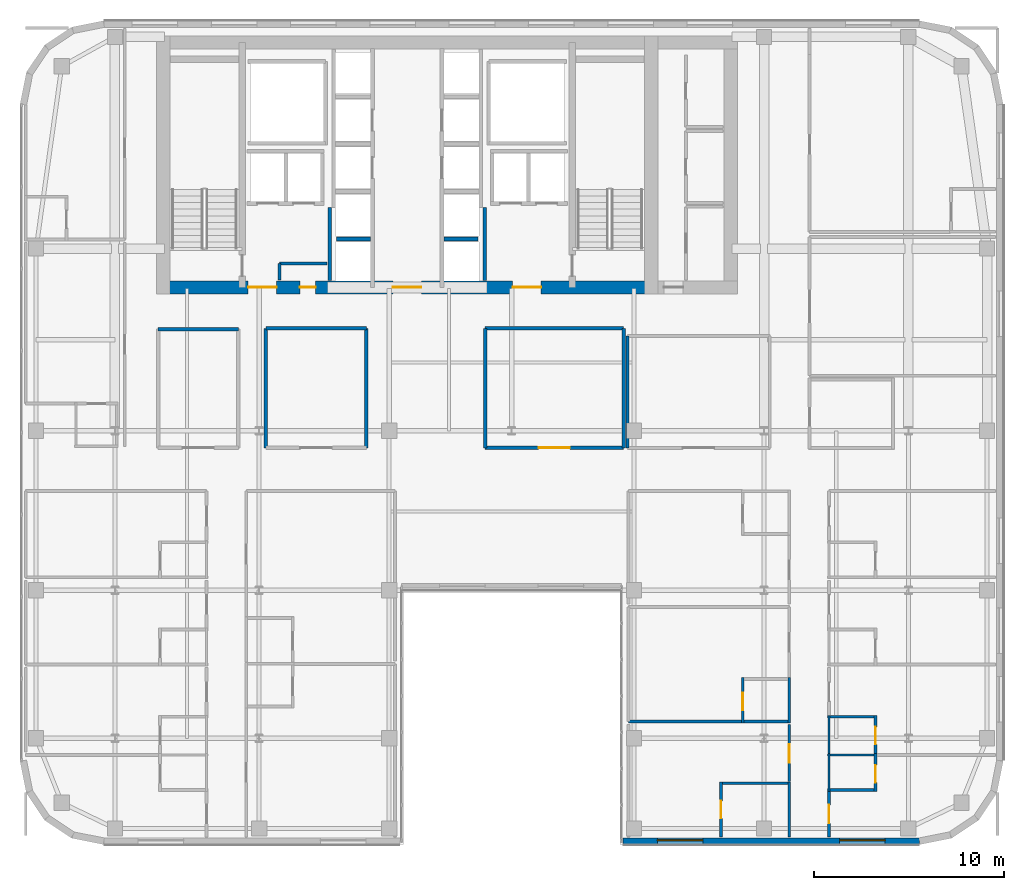
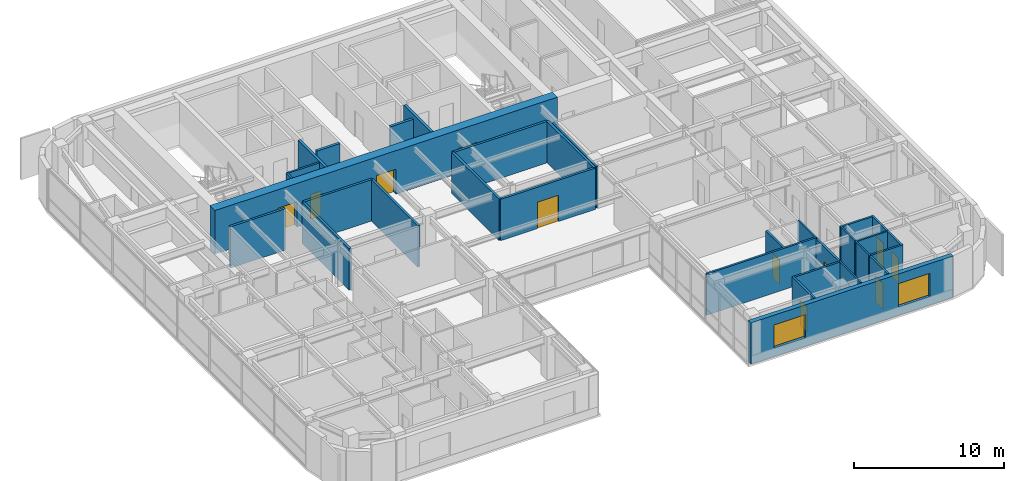
# One storey, part 19 of 28: 32 walls, 11 doors, 2 windows, 13 openings.
"""IFC4 building model written with IfcOpenShell, lengths in metres."""

import ifcopenshell
import ifcopenshell.guid

model = None  # the IFC model being written
_history = None  # IfcOwnerHistory: only IFC2X3 demands one
_inside = {}  # id of a spatial element -> (the spatial element, [elements in it])
_under = {}  # id of a project, library or spatial element -> (it, [spatial elements below it])
_declared = {}  # id of a project -> (the project, [libraries it declares])
_typed = {}  # id of a type object -> (the type object, [elements of that type])
_made_of = {}  # id of a material, layer set ... -> (it, [elements and type objects made of it])


def new_model(schema):
    """Start an empty IFC model of exactly this schema.

    Asked for "IFC4X3", IfcOpenShell would pick the latest addendum, in which some entities
    have other attributes; the version numbers below select the first issue.
    IFC2X3 requires an IfcOwnerHistory on every rooted entity: one is made here for all.
    """
    global model, _history
    if schema == "IFC4X3":
        model = ifcopenshell.file(schema_version=(4, 3, 0, 0))
    else:
        model = ifcopenshell.file(schema=schema)
    _inside.clear()
    _under.clear()
    _declared.clear()
    _typed.clear()
    _made_of.clear()
    _history = None
    if model.schema == "IFC2X3":
        org = make("IfcOrganization", Name="unknown")
        user = make(
            "IfcPersonAndOrganization",
            ThePerson=make("IfcPerson", FamilyName="unknown"),
            TheOrganization=org,
        )
        app = make(
            "IfcApplication",
            ApplicationDeveloper=org,
            Version="unknown",
            ApplicationFullName="unknown",
            ApplicationIdentifier="unknown",
        )
        _history = make(
            "IfcOwnerHistory",
            OwningUser=user,
            OwningApplication=app,
            ChangeAction="ADDED",
            CreationDate=0,
        )
    return model


def make(cls, **values):
    """One entity of the class cls with the attributes given. An attribute that is None is left unset."""
    return model.create_entity(
        cls, **{name: value for name, value in values.items() if value is not None}
    )


def rooted(cls, **values):
    """An entity with a GlobalId (a new one), such as an element, a storey or a relation."""
    return make(cls, GlobalId=ifcopenshell.guid.new(), OwnerHistory=_history, **values)


def si_unit(unit_type, name, prefix=None):
    """IfcSIUnit, for example si_unit("LENGTHUNIT", "METRE", prefix="MILLI")."""
    return make("IfcSIUnit", UnitType=unit_type, Prefix=prefix, Name=name)


def assignment(units):
    """IfcUnitAssignment: the units of a project."""
    return None if units is None else make("IfcUnitAssignment", Units=units)


def point(xyz):
    """IfcCartesianPoint."""
    return None if xyz is None else make("IfcCartesianPoint", Coordinates=xyz)


def direction(xyz):
    """IfcDirection."""
    return None if xyz is None else make("IfcDirection", DirectionRatios=xyz)


def frame(location, z_axis=None, x_axis=None):
    """IfcAxis2Placement3D, a coordinate frame: its origin and axes. An axis left out is left unset."""
    return make(
        "IfcAxis2Placement3D",
        Location=point(location),
        Axis=direction(z_axis),
        RefDirection=direction(x_axis),
    )


def frame_2d(location, x_axis=None):
    """IfcAxis2Placement2D, a coordinate frame in the plane: its origin and x axis."""
    return make(
        "IfcAxis2Placement2D", Location=point(location), RefDirection=direction(x_axis)
    )


def origin():
    """The frame at (0, 0, 0) with its axes left unset."""
    return frame((0.0, 0.0, 0.0))


def place(relative_to, where):
    """IfcLocalPlacement: puts the frame where relative to a parent placement (None: the world)."""
    return make(
        "IfcLocalPlacement", PlacementRelTo=relative_to, RelativePlacement=where
    )


def context(
    kind, dimensions, precision=None, world=None, true_north=None, identifier=None
):
    """IfcGeometricRepresentationContext, for example the 3D "Model" context."""
    return make(
        "IfcGeometricRepresentationContext",
        ContextIdentifier=identifier,
        ContextType=kind,
        CoordinateSpaceDimension=dimensions,
        Precision=precision,
        WorldCoordinateSystem=world,
        TrueNorth=true_north,
    )


def subcontext(parent, identifier, kind, view, scale=None):
    """IfcGeometricRepresentationSubContext, for example "Body" below "Model"."""
    return make(
        "IfcGeometricRepresentationSubContext",
        ContextIdentifier=identifier,
        ContextType=kind,
        ParentContext=parent,
        TargetScale=scale,
        TargetView=view,
    )


def project(units=None, contexts=None):
    """IfcProject with its units and contexts."""
    return rooted(
        "IfcProject",
        Name="project",
        RepresentationContexts=contexts,
        UnitsInContext=assignment(units),
    )


def spatial(cls, under=None, at=None, **own):
    """A site, building, storey or space (cls), placed at a placement, below another one or the project."""
    s = rooted(cls, ObjectPlacement=at, **own)
    if under is not None:
        _under.setdefault(under.id(), (under, []))[1].append(s)
    return s


def profile(cls, at=None, kind="AREA", **sizes):
    """A parametric profile (cls). Its sizes go by their IFC names, for example OverallWidth=200.0."""
    return make(cls, ProfileType=kind, Position=at, **sizes)


def rectangle(**sizes):
    """IfcRectangleProfileDef."""
    return profile("IfcRectangleProfileDef", **sizes)


def extrude(swept, where, along, depth):
    """IfcExtrudedAreaSolid: the profile swept, set in the frame where, extruded along a direction by depth."""
    return make(
        "IfcExtrudedAreaSolid",
        SweptArea=swept,
        Position=where,
        ExtrudedDirection=direction(along),
        Depth=depth,
    )


def shape(context_of_items, identifier, shape_type, items):
    """IfcShapeRepresentation: the items that make up one representation, for example the "Body"."""
    return make(
        "IfcShapeRepresentation",
        ContextOfItems=context_of_items,
        RepresentationIdentifier=identifier,
        RepresentationType=shape_type,
        Items=items,
    )


def source(mapping_origin, context_of_items, identifier, shape_type, items):
    """IfcRepresentationMap: a shape defined once, which mapped items show again and again."""
    return make(
        "IfcRepresentationMap",
        MappingOrigin=mapping_origin,
        MappedRepresentation=shape(context_of_items, identifier, shape_type, items),
    )


def transform(
    local_origin,
    x_axis=None,
    y_axis=None,
    z_axis=None,
    scale=None,
    scale2=None,
    scale3=None,
    uniform=True,
):
    """IfcCartesianTransformationOperator3D, or its non-uniform kind. x_axis, y_axis, z_axis: its Axis1, 2, 3."""
    if uniform:
        return make(
            "IfcCartesianTransformationOperator3D",
            Axis1=direction(x_axis),
            Axis2=direction(y_axis),
            LocalOrigin=point(local_origin),
            Scale=scale,
            Axis3=direction(z_axis),
        )
    return make(
        "IfcCartesianTransformationOperator3DnonUniform",
        Axis1=direction(x_axis),
        Axis2=direction(y_axis),
        LocalOrigin=point(local_origin),
        Scale=scale,
        Axis3=direction(z_axis),
        Scale2=scale2,
        Scale3=scale3,
    )


def mapped(mapping_source, mapping_target):
    """IfcMappedItem: shows the shape of a source again, moved by a transform."""
    return make(
        "IfcMappedItem", MappingSource=mapping_source, MappingTarget=mapping_target
    )


def material(Name=None, Category=None):
    """IfcMaterial."""
    return make("IfcMaterial", Name=Name, Category=Category)


def layer(
    of_material, thickness, ventilated=None, Name=None, Category=None, Priority=None
):
    """IfcMaterialLayer: one layer of a wall or slab, of a material (None: an air gap)."""
    return make(
        "IfcMaterialLayer",
        Material=of_material,
        LayerThickness=thickness,
        IsVentilated=ventilated,
        Name=Name,
        Category=Category,
        Priority=Priority,
    )


def layer_set(layers, Name=None):
    """IfcMaterialLayerSet."""
    return make("IfcMaterialLayerSet", MaterialLayers=layers, LayerSetName=Name)


def made_of(thing, what):
    """Note that an element or type object is made of a material, layer set ...; save() writes the relation."""
    if what is not None:
        _made_of.setdefault(what.id(), (what, []))[1].append(thing)
    return thing


def type_object(cls, material=None, **own):
    """A type object (cls), such as IfcWallType, which elements share."""
    return made_of(rooted(cls, **own), material)


def type_shapes(of_type, sources):
    """Give a type object the sources (RepresentationMaps) that its elements show as mapped items."""
    of_type.RepresentationMaps = sources


def element(
    cls,
    number,
    at=None,
    inside=None,
    cuts=None,
    type_object=None,
    material=None,
    context=None,
    identifier="Body",
    shape_type=None,
    held_by="IfcProductDefinitionShape",
    body=None,
    shapes=None,
    **own,
):
    """One element of the class cls, such as IfcWall. Its Tag is "e" and its number.

    at: its placement. inside: the storey or other place that contains it. cuts: it is an
    opening in that element (IfcRelVoidsElement). A single representation is given by context,
    identifier, shape_type and body (its items); several are given by shapes. held_by: the class
    of the entity that holds the representations. save() writes the other relations.
    """
    e = rooted(cls, Tag="e%d" % number, ObjectPlacement=at, **own)
    if body is not None:
        shapes = [shape(context, identifier, shape_type, body)]
    if shapes is not None:
        e.Representation = make(held_by, Representations=shapes)
    if inside is not None:
        _inside.setdefault(inside.id(), (inside, []))[1].append(e)
    if cuts is not None:
        rooted(
            "IfcRelVoidsElement", RelatingBuildingElement=cuts, RelatedOpeningElement=e
        )
    if type_object is not None:
        _typed.setdefault(type_object.id(), (type_object, []))[1].append(e)
    return made_of(e, material)


def fill(opening, filler):
    """IfcRelFillsElement: the door or window that sits in an opening."""
    return rooted(
        "IfcRelFillsElement",
        RelatingOpeningElement=opening,
        RelatedBuildingElement=filler,
    )


def aggregate(whole, parts):
    """IfcRelAggregates: a whole, such as a stair, and the parts it consists of."""
    return rooted("IfcRelAggregates", RelatingObject=whole, RelatedObjects=parts)


def save(model, path):
    """Write the relations noted so far, then the file.

    IfcRelAggregates (storeys below a building ...), IfcRelContainedInSpatialStructure (elements
    in a storey), IfcRelDefinesByType, IfcRelAssociatesMaterial and IfcRelDeclares: one each for
    every whole, place, type object, material and project.
    """
    for whole, parts in _under.values():
        aggregate(whole, parts)
    for where, things in _inside.values():
        rooted(
            "IfcRelContainedInSpatialStructure",
            RelatedElements=things,
            RelatingStructure=where,
        )
    for kind, things in _typed.values():
        rooted("IfcRelDefinesByType", RelatedObjects=things, RelatingType=kind)
    for what, things in _made_of.values():
        rooted("IfcRelAssociatesMaterial", RelatedObjects=things, RelatingMaterial=what)
    for by, libraries in _declared.values():
        rooted("IfcRelDeclares", RelatingContext=by, RelatedDefinitions=libraries)
    model.write(path)


model = new_model("IFC4")

# Units and contexts
model_context = context("Model", 3, precision=1e-05, world=origin(), true_north=direction((0.0, 1.0)))
body_context = subcontext(model_context, "Body", "Model", "MODEL_VIEW")
ifc_project = project(units=[si_unit("LENGTHUNIT", "METRE"), si_unit("AREAUNIT", "SQUARE_METRE"), si_unit("VOLUMEUNIT", "CUBIC_METRE"), si_unit("PLANEANGLEUNIT", "RADIAN"), si_unit("MASSUNIT", "GRAM", prefix="KILO")], contexts=[model_context])

# Site, building, storey
site_placement = place(None, origin())
site = spatial("IfcSite", under=ifc_project, at=site_placement, CompositionType="ELEMENT")
building_placement = place(site_placement, origin())
building = spatial("IfcBuilding", under=site, at=building_placement, Name="Tolvann Quenvar Hotel", CompositionType="ELEMENT")
storey_placement = place(building_placement, frame((0.0, 0.0, 154.14990234375)))
storey = spatial("IfcBuildingStorey", under=building, at=storey_placement, Name="L40", CompositionType="ELEMENT", Elevation=154.14990234375)

# Wall, openings, doors
ifc_material_1 = material(Name="Concrete S65 (65 MPa)", Category="concrete")
ifc_layer_1 = layer(ifc_material_1, 0.699951171875)
ifc_layer_set_1 = layer_set([ifc_layer_1], Name="Concrete S65 (65 MPa)")
wall_type_1 = type_object("IfcWallType", Name="WALL_CORE_700", PredefinedType="SHEAR", material=ifc_layer_set_1)
wall_1_placement = place(storey_placement, frame((9.800048828125, 31.949951171875, 0.0), z_axis=(0.0, 0.0, 1.0), x_axis=(1.0, 0.0, 0.0)))
wall_1 = element("IfcWall", 1, at=wall_1_placement, inside=storey, type_object=wall_type_1, Name="Rear Core S Shear Wall (L40)", PredefinedType="SHEAR", context=body_context, shape_type="SweptSolid", body=[
    extrude(rectangle(XDim=26.39990234375, YDim=0.699951171875, at=frame_2d((13.199951171875, 0.0))), origin(), (0.0, 0.0, 1.0), 3.550048828125),
])
opening_1_placement = place(wall_1_placement, frame((6.320068359375, 0.0, 0.0), z_axis=(0.0, 0.0, 1.0), x_axis=(-1.0, 0.0, 0.0)))
opening_1 = element("IfcOpeningElement", 2, at=opening_1_placement, cuts=wall_1, Name="Opening FD-60D", PredefinedType="OPENING", context=body_context, shape_type="SweptSolid", body=[
    extrude(rectangle(XDim=1.5, YDim=2.0400390625, at=frame_2d((0.75, 1.02001953125))), frame((0.0, 0.35986328125, 0.0), z_axis=(0.0, -1.0, 0.0), x_axis=(1.0, 0.0, 0.0)), (0.0, 0.0, 1.0), 0.719970703125),
])
opening_2_placement = place(wall_1_placement, frame((13.949951171875, 0.0, 0.0), z_axis=(0.0, 0.0, 1.0), x_axis=(-1.0, 0.0, 0.0)))
opening_2 = element("IfcOpeningElement", 3, at=opening_2_placement, cuts=wall_1, Name="Opening FD-60D", PredefinedType="OPENING", context=body_context, shape_type="SweptSolid", body=[
    extrude(rectangle(XDim=1.5, YDim=2.0400390625, at=frame_2d((0.75, 1.02001953125))), frame((0.0, 0.35986328125, 0.0), z_axis=(0.0, -1.0, 0.0), x_axis=(1.0, 0.0, 0.0)), (0.0, 0.0, 1.0), 0.719970703125),
])
opening_3_placement = place(wall_1_placement, frame((20.25, 0.0, 0.0), z_axis=(0.0, 0.0, 1.0), x_axis=(-1.0, 0.0, 0.0)))
opening_3 = element("IfcOpeningElement", 4, at=opening_3_placement, cuts=wall_1, Name="Opening FD-60D", PredefinedType="OPENING", context=body_context, shape_type="SweptSolid", body=[
    extrude(rectangle(XDim=1.5, YDim=2.0400390625, at=frame_2d((0.75, 1.02001953125))), frame((0.0, 0.35986328125, 0.0), z_axis=(0.0, -1.0, 0.0), x_axis=(1.0, 0.0, 0.0)), (0.0, 0.0, 1.0), 0.719970703125),
])
opening_4_placement = place(wall_1_placement, frame((8.3701171875, 0.0, 0.0), z_axis=(0.0, 0.0, 1.0), x_axis=(-1.0, 0.0, 0.0)))
opening_4 = element("IfcOpeningElement", 5, at=opening_4_placement, cuts=wall_1, Name="Opening HD-02", PredefinedType="OPENING", context=body_context, shape_type="SweptSolid", body=[
    extrude(rectangle(XDim=0.820068359375, YDim=2.010009765625, at=frame_2d((0.41015625, 1.0048828125))), frame((0.0, 0.35986328125, 0.0), z_axis=(0.0, -1.0, 0.0), x_axis=(1.0, 0.0, 0.0)), (0.0, 0.0, 1.0), 0.719970703125),
])
ifc_material_2 = material(Name="Solid-core American oak acoustic fire door leaf in steel frame", Category="steel")
door_type_1 = type_object("IfcDoorType", Name="DOOR_FIRE_LOBBY_1500", OperationType="NOTDEFINED", PredefinedType="DOOR", material=ifc_material_2)
shared_shape_1 = source(origin(), body_context, "Body", "SweptSolid", [
    extrude(rectangle(XDim=1.5, YDim=2.0400390625, at=frame_2d((0.75, 1.02001953125))), frame((0.0, 0.02490234375, 0.0), z_axis=(0.0, -1.0, 0.0), x_axis=(1.0, 0.0, 0.0)), (0.0, 0.0, 1.0), 0.050048828125),
])
type_shapes(door_type_1, [shared_shape_1])
door_1_placement = place(opening_1_placement, origin())
door_1 = element("IfcDoor", 6, at=door_1_placement, inside=storey, type_object=door_type_1, Name="Core Lobby Fire Door FFW (L40)", OperationType="DOUBLE_DOOR_SINGLE_SWING", OverallHeight=2.0400390625, OverallWidth=1.5, PredefinedType="DOOR", context=body_context, shape_type="MappedRepresentation", body=[
    mapped(shared_shape_1, transform((0.0, 0.0, 0.0), x_axis=(1.0, 0.0, 0.0), y_axis=(0.0, 1.0, 0.0), z_axis=(0.0, 0.0, 1.0), scale=1.0)),
])
fill(opening_1, door_1)
door_2_placement = place(opening_2_placement, origin())
door_2 = element("IfcDoor", 7, at=door_2_placement, inside=storey, type_object=door_type_1, Name="Core Lobby Fire Door CLOB (L40)", OperationType="DOUBLE_DOOR_SINGLE_SWING", OverallHeight=2.0400390625, OverallWidth=1.5, PredefinedType="DOOR", context=body_context, shape_type="MappedRepresentation", body=[
    mapped(shared_shape_1, transform((0.0, 0.0, 0.0), x_axis=(1.0, 0.0, 0.0), y_axis=(0.0, 1.0, 0.0), z_axis=(0.0, 0.0, 1.0), scale=1.0)),
])
fill(opening_2, door_2)
door_3_placement = place(opening_3_placement, origin())
door_3 = element("IfcDoor", 8, at=door_3_placement, inside=storey, type_object=door_type_1, Name="Core Lobby Fire Door FFE (L40)", OperationType="DOUBLE_DOOR_SINGLE_SWING", OverallHeight=2.0400390625, OverallWidth=1.5, PredefinedType="DOOR", context=body_context, shape_type="MappedRepresentation", body=[
    mapped(shared_shape_1, transform((0.0, 0.0, 0.0), x_axis=(1.0, 0.0, 0.0), y_axis=(0.0, 1.0, 0.0), z_axis=(0.0, 0.0, 1.0), scale=1.0)),
])
fill(opening_3, door_3)
ifc_material_3 = material(Name="Pressed galvanised steel fire-rated door set", Category="steel")
door_type_2 = type_object("IfcDoorType", Name="DOOR_STORE_820", OperationType="NOTDEFINED", PredefinedType="DOOR", material=ifc_material_3)
shared_shape_2 = source(origin(), body_context, "Body", "SweptSolid", [
    extrude(rectangle(XDim=0.820068359375, YDim=2.010009765625, at=frame_2d((0.41015625, 1.0048828125))), frame((0.0, 0.02490234375, 0.0), z_axis=(0.0, -1.0, 0.0), x_axis=(1.0, 0.0, 0.0)), (0.0, 0.0, 1.0), 0.050048828125),
])
type_shapes(door_type_2, [shared_shape_2])
door_4_placement = place(opening_4_placement, origin())
door_4 = element("IfcDoor", 9, at=door_4_placement, inside=storey, type_object=door_type_2, Name="Core Linen Store Fire Door (L40)", OperationType="SINGLE_SWING_LEFT", OverallHeight=2.010009765625, OverallWidth=0.820068359375, PredefinedType="DOOR", context=body_context, shape_type="MappedRepresentation", body=[
    mapped(shared_shape_2, transform((0.0, 0.0, 0.0), x_axis=(1.0, 0.0, 0.0), y_axis=(0.0, 1.0, 0.0), z_axis=(0.0, 0.0, 1.0), scale=1.0)),
])
fill(opening_4, door_4)

# Wall, openings, windows
ifc_material_4 = material(Name="Kiln-fired red and buff architectural clay brickwork and terracotta masonry", Category="masonry")
ifc_layer_2 = layer(ifc_material_4, 0.35009765625)
ifc_layer_set_2 = layer_set([ifc_layer_2], Name="Kiln-fired red and buff architectural clay brickwork and terracotta masonry")
wall_type_2 = type_object("IfcWallType", Name="WALL_EXT_BRICK_350", PredefinedType="SOLIDWALL", material=ifc_layer_set_2)
wall_2_placement = place(storey_placement, frame((34.375, 2.77490234375, 0.0), z_axis=(0.0, 0.0, 1.0), x_axis=(1.0, 0.0, 0.0)))
wall_2 = element("IfcWall", 10, at=wall_2_placement, inside=storey, type_object=wall_type_2, Name="Exterior Chicago Brick Wall L40-E08", PredefinedType="SOLIDWALL", context=body_context, shape_type="SweptSolid", body=[
    extrude(rectangle(XDim=15.60791015625, YDim=0.35009765625, at=frame_2d((7.803955078125, 0.0))), origin(), (0.0, 0.0, 1.0), 3.3701171875),
])
opening_5_placement = place(wall_2_placement, frame((1.801025390625, 0.0, 0.679931640625)))
opening_5 = element("IfcOpeningElement", 11, at=opening_5_placement, cuts=wall_2, Name="Opening W-01", PredefinedType="OPENING", context=body_context, shape_type="SweptSolid", body=[
    extrude(rectangle(XDim=2.39990234375, YDim=1.89990234375, at=frame_2d((1.199951171875, 0.949951171875))), frame((0.0, 0.18505859375, 0.0), z_axis=(0.0, -1.0, 0.0), x_axis=(1.0, 0.0, 0.0)), (0.0, 0.0, 1.0), 0.3701171875),
])
opening_6_placement = place(wall_2_placement, frame((11.406005859375, 0.0, 0.679931640625)))
opening_6 = element("IfcOpeningElement", 12, at=opening_6_placement, cuts=wall_2, Name="Opening W-01", PredefinedType="OPENING", context=body_context, shape_type="SweptSolid", body=[
    extrude(rectangle(XDim=2.39990234375, YDim=1.89990234375, at=frame_2d((1.199951171875, 0.949951171875))), frame((0.0, 0.18505859375, 0.0), z_axis=(0.0, -1.0, 0.0), x_axis=(1.0, 0.0, 0.0)), (0.0, 0.0, 1.0), 0.3701171875),
])
ifc_material_5 = material(Name="Thermally broken bronze-anodised aluminium frame with double low-E glazing", Category="aluminium")
window_type = type_object("IfcWindowType", Name="WIN_CHI_2400x2050", PartitioningType="TRIPLE_PANEL_HORIZONTAL", PredefinedType="WINDOW", material=ifc_material_5)
shared_shape_3 = source(origin(), body_context, "Body", "SweptSolid", [
    extrude(rectangle(XDim=2.39990234375, YDim=1.89990234375, at=frame_2d((1.199951171875, 0.949951171875))), frame((0.0, 0.090087890625, 0.0), z_axis=(0.0, -1.0, 0.0), x_axis=(1.0, 0.0, 0.0)), (0.0, 0.0, 1.0), 0.06005859375),
])
type_shapes(window_type, [shared_shape_3])
window_1_placement = place(opening_5_placement, origin())
window_1 = element("IfcWindow", 13, at=window_1_placement, inside=storey, type_object=window_type, Name="Chicago Window W-01 (EW-L40-E08-W01)", OverallHeight=1.89990234375, OverallWidth=2.39990234375, PartitioningType="TRIPLE_PANEL_HORIZONTAL", PredefinedType="WINDOW", context=body_context, shape_type="MappedRepresentation", body=[
    mapped(shared_shape_3, transform((0.0, 0.0, 0.0), x_axis=(1.0, 0.0, 0.0), y_axis=(0.0, 1.0, 0.0), z_axis=(0.0, 0.0, 1.0), scale=1.0)),
])
fill(opening_5, window_1)
window_2_placement = place(opening_6_placement, origin())
window_2 = element("IfcWindow", 14, at=window_2_placement, inside=storey, type_object=window_type, Name="Chicago Window W-01 (EW-L40-E08-W02)", OverallHeight=1.89990234375, OverallWidth=2.39990234375, PartitioningType="TRIPLE_PANEL_HORIZONTAL", PredefinedType="WINDOW", context=body_context, shape_type="MappedRepresentation", body=[
    mapped(shared_shape_3, transform((0.0, 0.0, 0.0), x_axis=(1.0, 0.0, 0.0), y_axis=(0.0, 1.0, 0.0), z_axis=(0.0, 0.0, 1.0), scale=1.0)),
])
fill(opening_6, window_2)

# Wall
ifc_material_6 = material(Name="Acoustic twin-stud fire-rated gypsum plasterboard partition")
ifc_layer_3 = layer(ifc_material_6, 0.179931640625)
ifc_layer_set_3 = layer_set([ifc_layer_3], Name="Acoustic twin-stud fire-rated gypsum plasterboard partition")
wall_type_3 = type_object("IfcWallType", Name="WALL_PART_ACOUSTIC_180", PredefinedType="PARTITIONING", material=ifc_layer_set_3)
wall_3_placement = place(storey_placement, frame((9.8798828125, 29.75, 0.0), z_axis=(0.0, 0.0, 1.0), x_axis=(1.0, 0.0, 0.0)))
element("IfcWall", 15, at=wall_3_placement, inside=storey, type_object=wall_type_3, Name="Interior Partition PT-SPC-L40-MSP-W-N", PredefinedType="PARTITIONING", context=body_context, shape_type="SweptSolid", body=[
    extrude(rectangle(XDim=4.22021484375, YDim=0.179931640625, at=frame_2d((2.110107421875, 0.0))), origin(), (0.0, 0.0, 1.0), 3.3701171875),
])

# Wall, opening, door
wall_4_placement = place(storey_placement, frame((27.10009765625, 23.5, 0.0), z_axis=(0.0, 0.0, 1.0), x_axis=(1.0, 0.0, 0.0)))
wall_4 = element("IfcWall", 16, at=wall_4_placement, inside=storey, type_object=wall_type_3, Name="Interior Partition PT-SPC-L40-MSP-C-S", PredefinedType="PARTITIONING", context=body_context, shape_type="SweptSolid", body=[
    extrude(rectangle(XDim=7.2998046875, YDim=0.179931640625, at=frame_2d((3.64990234375, 0.0))), origin(), (0.0, 0.0, 1.0), 3.3701171875),
])
opening_7_placement = place(wall_4_placement, frame((2.824951171875, 0.0, 0.0)))
opening_7 = element("IfcOpeningElement", 17, at=opening_7_placement, cuts=wall_4, Name="Opening AD-01", PredefinedType="OPENING", context=body_context, shape_type="SweptSolid", body=[
    extrude(rectangle(XDim=1.64990234375, YDim=2.14990234375, at=frame_2d((0.824951171875, 1.074951171875))), frame((0.0, 0.10009765625, 0.0), z_axis=(0.0, -1.0, 0.0), x_axis=(1.0, 0.0, 0.0)), (0.0, 0.0, 1.0), 0.199951171875),
])
door_type_3 = type_object("IfcDoorType", Name="DOOR_SALON_1650", OperationType="NOTDEFINED", PredefinedType="DOOR", material=ifc_material_2)
shared_shape_4 = source(origin(), body_context, "Body", "SweptSolid", [
    extrude(rectangle(XDim=1.64990234375, YDim=2.14990234375, at=frame_2d((0.824951171875, 1.074951171875))), frame((0.0, 0.02490234375, 0.0), z_axis=(0.0, -1.0, 0.0), x_axis=(1.0, 0.0, 0.0)), (0.0, 0.0, 1.0), 0.050048828125),
])
type_shapes(door_type_3, [shared_shape_4])
door_5_placement = place(opening_7_placement, origin())
door_5 = element("IfcDoor", 18, at=door_5_placement, inside=storey, type_object=door_type_3, Name="Interior Door DOOR-SPC-L40-MSP-C", OperationType="DOUBLE_DOOR_SINGLE_SWING", OverallHeight=2.14990234375, OverallWidth=1.64990234375, PredefinedType="DOOR", context=body_context, shape_type="MappedRepresentation", body=[
    mapped(shared_shape_4, transform((0.0, 0.0, 0.0), x_axis=(1.0, 0.0, 0.0), y_axis=(0.0, 1.0, 0.0), z_axis=(0.0, 0.0, 1.0), scale=1.0)),
])
fill(opening_7, door_5)

# Walls
wall_5_placement = place(storey_placement, frame((27.10009765625, 29.800048828125, 0.0), z_axis=(0.0, 0.0, 1.0), x_axis=(1.0, 0.0, 0.0)))
element("IfcWall", 19, at=wall_5_placement, inside=storey, type_object=wall_type_3, Name="Interior Partition PT-SPC-L40-MSP-C-N", PredefinedType="PARTITIONING", context=body_context, shape_type="SweptSolid", body=[
    extrude(rectangle(XDim=7.2998046875, YDim=0.179931640625, at=frame_2d((3.64990234375, 0.0))), origin(), (0.0, 0.0, 1.0), 3.3701171875),
])
for number, where, z_axis, x_axis, name in (
    (20, (27.10009765625, 23.5, 0.0), (0.0, 0.0, 1.0), (0.0, 1.0, 0.0), "Interior Partition PT-SPC-L40-MSP-C-W"),
    (21, (34.39990234375, 23.5, 0.0), (0.0, 0.0, 1.0), (0.0, 1.0, 0.0), "Interior Partition PT-SPC-L40-MSP-C-E"),
):
    element("IfcWall", number, at=place(storey_placement, frame(where, z_axis=z_axis, x_axis=x_axis)), inside=storey, type_object=wall_type_3, Name=name, PredefinedType="PARTITIONING", context=body_context, shape_type="SweptSolid", body=[
        extrude(rectangle(XDim=6.300048828125, YDim=0.179931640625, at=frame_2d((3.14990234375, 0.0))), origin(), (0.0, 0.0, 1.0), 3.3701171875),
    ])
wall_6_placement = place(storey_placement, frame((15.550048828125, 29.800048828125, 0.0), z_axis=(0.0, 0.0, 1.0), x_axis=(1.0, 0.0, 0.0)))
element("IfcWall", 22, at=wall_6_placement, inside=storey, type_object=wall_type_3, Name="Interior Partition PT-SPC-L40-MSP-N-N", PredefinedType="PARTITIONING", context=body_context, shape_type="SweptSolid", body=[
    extrude(rectangle(XDim=5.300048828125, YDim=0.179931640625, at=frame_2d((2.64990234375, 0.0))), origin(), (0.0, 0.0, 1.0), 3.3701171875),
])
for number, where, z_axis, x_axis, name in (
    (23, (15.550048828125, 23.5, 0.0), (0.0, 0.0, 1.0), (0.0, 1.0, 0.0), "Interior Partition PT-SPC-L40-MSP-N-W"),
    (24, (20.85009765625, 23.5, 0.0), (0.0, 0.0, 1.0), (0.0, 1.0, 0.0), "Interior Partition PT-SPC-L40-MSP-N-E"),
):
    element("IfcWall", number, at=place(storey_placement, frame(where, z_axis=z_axis, x_axis=x_axis)), inside=storey, type_object=wall_type_3, Name=name, PredefinedType="PARTITIONING", context=body_context, shape_type="SweptSolid", body=[
        extrude(rectangle(XDim=6.300048828125, YDim=0.179931640625, at=frame_2d((3.14990234375, 0.0))), origin(), (0.0, 0.0, 1.0), 3.3701171875),
    ])
ifc_material_7 = material(Name="Moisture-resistant acoustic plumbing wall assembly")
ifc_layer_4 = layer(ifc_material_7, 0.1201171875)
ifc_layer_set_4 = layer_set([ifc_layer_4], Name="Moisture-resistant acoustic plumbing wall assembly")
wall_type_4 = type_object("IfcWallType", Name="WALL_PART_BATH_120", PredefinedType="PLUMBINGWALL", material=ifc_layer_set_4)
wall_7_placement = place(storey_placement, frame((43.1298828125, 3.0048828125, 0.0), z_axis=(0.0, 0.0, 1.0), x_axis=(0.0, 1.0, 0.0)))
element("IfcWall", 25, at=wall_7_placement, inside=storey, type_object=wall_type_4, Name="Non-Rated Plumbing Partition PT-SPC-L40-ENS-EI01-E", PredefinedType="PLUMBINGWALL", context=body_context, shape_type="SweptSolid", body=[
    extrude(rectangle(XDim=2.89501953125, YDim=0.1201171875, at=frame_2d((1.447509765625, 0.0))), origin(), (0.0, 0.0, 1.0), 3.3701171875),
])
wall_8_placement = place(storey_placement, frame((43.1298828125, 9.010009765625, 0.0), z_axis=(0.0, 0.0, 1.0), x_axis=(0.0, 1.0, 0.0)))
element("IfcWall", 26, at=wall_8_placement, inside=storey, type_object=wall_type_4, Name="Non-Rated Plumbing Partition PT-SPC-L40-ENS-EI02-E", PredefinedType="PLUMBINGWALL", context=body_context, shape_type="SweptSolid", body=[
    extrude(rectangle(XDim=2.389892578125, YDim=0.1201171875, at=frame_2d((1.19482421875, 0.0))), origin(), (0.0, 0.0, 1.0), 3.3701171875),
])
wall_9_placement = place(storey_placement, frame((45.14990234375, 7.320068359375, 0.0), z_axis=(0.0, 0.0, 1.0), x_axis=(1.0, 0.0, 0.0)))
element("IfcWall", 27, at=wall_9_placement, inside=storey, type_object=wall_type_4, Name="Non-Rated Plumbing Partition PT-SPC-L40-ENS-EO01-N", PredefinedType="PLUMBINGWALL", context=body_context, shape_type="SweptSolid", body=[
    extrude(rectangle(XDim=2.590087890625, YDim=0.1201171875, at=frame_2d((1.294921875, 0.0))), origin(), (0.0, 0.0, 1.0), 3.3701171875),
])
for number, where, z_axis, x_axis, name in (
    (28, (45.219970703125, 5.39990234375, 0.0), (0.0, 0.0, 1.0), (0.0, 1.0, 0.0), "Non-Rated Plumbing Partition PT-SPC-L40-ENS-EO01-W"),
    (29, (45.219970703125, 7.409912109375, 0.0), (0.0, 0.0, 1.0), (0.0, 1.0, 0.0), "Non-Rated Plumbing Partition PT-SPC-L40-ENS-EO02-W"),
):
    element("IfcWall", number, at=place(storey_placement, frame(where, z_axis=z_axis, x_axis=x_axis)), inside=storey, type_object=wall_type_4, Name=name, PredefinedType="PLUMBINGWALL", context=body_context, shape_type="SweptSolid", body=[
        extrude(rectangle(XDim=1.989990234375, YDim=0.1201171875, at=frame_2d((0.9951171875, 0.0))), origin(), (0.0, 0.0, 1.0), 3.3701171875),
    ])

# Wall, opening, door
ifc_layer_5 = layer(ifc_material_6, 0.14990234375)
ifc_layer_set_5 = layer_set([ifc_layer_5], Name="Acoustic twin-stud fire-rated gypsum plasterboard partition")
wall_type_5 = type_object("IfcWallType", Name="WALL_PART_SUITE_150", PredefinedType="PARTITIONING", material=ifc_layer_set_5)
wall_10_placement = place(storey_placement, frame((39.530029296875, 3.0048828125, 0.0), z_axis=(0.0, 0.0, 1.0), x_axis=(0.0, 1.0, 0.0)))
wall_10 = element("IfcWall", 30, at=wall_10_placement, inside=storey, type_object=wall_type_5, Name="Interior Partition PT-SPC-L40-ENS-EI01-ENT", PredefinedType="PARTITIONING", context=body_context, shape_type="SweptSolid", body=[
    extrude(rectangle(XDim=2.89501953125, YDim=0.14990234375, at=frame_2d((1.447509765625, 0.0))), origin(), (0.0, 0.0, 1.0), 3.3701171875),
])
opening_8_placement = place(wall_10_placement, frame((0.97998046875, 0.0, 0.0)))
opening_8 = element("IfcOpeningElement", 31, at=opening_8_placement, cuts=wall_10, Name="Opening WD-01", PredefinedType="OPENING", context=body_context, shape_type="SweptSolid", body=[
    extrude(rectangle(XDim=0.919921875, YDim=2.010009765625, at=frame_2d((0.4599609375, 1.0048828125))), frame((0.0, 0.0849609375, 0.0), z_axis=(0.0, -1.0, 0.0), x_axis=(1.0, 0.0, 0.0)), (0.0, 0.0, 1.0), 0.169921875),
])
door_type_4 = type_object("IfcDoorType", Name="DOOR_WC_920", OperationType="NOTDEFINED", PredefinedType="DOOR", material=ifc_material_2)
shared_shape_5 = source(origin(), body_context, "Body", "SweptSolid", [
    extrude(rectangle(XDim=0.919921875, YDim=2.010009765625, at=frame_2d((0.4599609375, 1.0048828125))), frame((0.0, 0.02490234375, 0.0), z_axis=(0.0, -1.0, 0.0), x_axis=(1.0, 0.0, 0.0)), (0.0, 0.0, 1.0), 0.050048828125),
])
type_shapes(door_type_4, [shared_shape_5])
door_6_placement = place(opening_8_placement, origin())
door_6 = element("IfcDoor", 32, at=door_6_placement, inside=storey, type_object=door_type_4, Name="Interior Door DOOR-SPC-L40-ENS-EI01", OperationType="SINGLE_SWING_LEFT", OverallHeight=2.010009765625, OverallWidth=0.919921875, PredefinedType="DOOR", context=body_context, shape_type="MappedRepresentation", body=[
    mapped(shared_shape_5, transform((0.0, 0.0, 0.0), x_axis=(1.0, 0.0, 0.0), y_axis=(0.0, 1.0, 0.0), z_axis=(0.0, 0.0, 1.0), scale=1.0)),
])
fill(opening_8, door_6)

# Wall
wall_11_placement = place(storey_placement, frame((39.4599609375, 5.830078125, 0.0), z_axis=(0.0, 0.0, 1.0), x_axis=(1.0, 0.0, 0.0)))
element("IfcWall", 33, at=wall_11_placement, inside=storey, type_object=wall_type_5, Name="Interior Partition PT-SPC-L40-ENS-EI01-N", PredefinedType="PARTITIONING", context=body_context, shape_type="SweptSolid", body=[
    extrude(rectangle(XDim=3.739990234375, YDim=0.14990234375, at=frame_2d((1.8701171875, 0.0))), origin(), (0.0, 0.0, 1.0), 3.3701171875),
])

# Wall, opening, door
wall_12_placement = place(storey_placement, frame((40.679931640625, 9.010009765625, 0.0), z_axis=(0.0, 0.0, 1.0), x_axis=(0.0, 1.0, 0.0)))
wall_12 = element("IfcWall", 34, at=wall_12_placement, inside=storey, type_object=wall_type_5, Name="Interior Partition PT-SPC-L40-ENS-EI02-ENT", PredefinedType="PARTITIONING", context=body_context, shape_type="SweptSolid", body=[
    extrude(rectangle(XDim=2.389892578125, YDim=0.14990234375, at=frame_2d((1.19482421875, 0.0))), origin(), (0.0, 0.0, 1.0), 3.3701171875),
])
opening_9_placement = place(wall_12_placement, frame((0.6650390625, 0.0, 0.0)))
opening_9 = element("IfcOpeningElement", 35, at=opening_9_placement, cuts=wall_12, Name="Opening WD-01", PredefinedType="OPENING", context=body_context, shape_type="SweptSolid", body=[
    extrude(rectangle(XDim=0.919921875, YDim=2.010009765625, at=frame_2d((0.4599609375, 1.0048828125))), frame((0.0, 0.0849609375, 0.0), z_axis=(0.0, -1.0, 0.0), x_axis=(1.0, 0.0, 0.0)), (0.0, 0.0, 1.0), 0.169921875),
])
door_7_placement = place(opening_9_placement, origin())
door_7 = element("IfcDoor", 36, at=door_7_placement, inside=storey, type_object=door_type_4, Name="Interior Door DOOR-SPC-L40-ENS-EI02", OperationType="SINGLE_SWING_RIGHT", OverallHeight=2.010009765625, OverallWidth=0.919921875, PredefinedType="DOOR", context=body_context, shape_type="MappedRepresentation", body=[
    mapped(shared_shape_5, transform((0.0, 0.0, 0.0), x_axis=(1.0, 0.0, 0.0), y_axis=(0.0, 1.0, 0.0), z_axis=(0.0, 0.0, 1.0), scale=1.0)),
])
fill(opening_9, door_7)

# Wall
wall_13_placement = place(storey_placement, frame((34.64990234375, 9.080078125, 0.0), z_axis=(0.0, 0.0, 1.0), x_axis=(1.0, 0.0, 0.0)))
element("IfcWall", 37, at=wall_13_placement, inside=storey, type_object=wall_type_5, Name="Interior Partition PT-SPC-L40-ENS-EI02-S", PredefinedType="PARTITIONING", context=body_context, shape_type="SweptSolid", body=[
    extrude(rectangle(XDim=8.550048828125, YDim=0.14990234375, at=frame_2d((4.27490234375, 0.0))), origin(), (0.0, 0.0, 1.0), 3.3701171875),
])

# Wall, opening, door
wall_14_placement = place(storey_placement, frame((47.669921875, 5.39990234375, 0.0), z_axis=(0.0, 0.0, 1.0), x_axis=(0.0, 1.0, 0.0)))
wall_14 = element("IfcWall", 38, at=wall_14_placement, inside=storey, type_object=wall_type_5, Name="Interior Partition PT-SPC-L40-ENS-EO01-ENT", PredefinedType="PARTITIONING", context=body_context, shape_type="SweptSolid", body=[
    extrude(rectangle(XDim=1.989990234375, YDim=0.14990234375, at=frame_2d((0.9951171875, 0.0))), origin(), (0.0, 0.0, 1.0), 3.3701171875),
])
opening_10_placement = place(wall_14_placement, frame((0.465087890625, 0.0, 0.0)))
opening_10 = element("IfcOpeningElement", 39, at=opening_10_placement, cuts=wall_14, Name="Opening WD-01", PredefinedType="OPENING", context=body_context, shape_type="SweptSolid", body=[
    extrude(rectangle(XDim=0.919921875, YDim=2.010009765625, at=frame_2d((0.4599609375, 1.0048828125))), frame((0.0, 0.0849609375, 0.0), z_axis=(0.0, -1.0, 0.0), x_axis=(1.0, 0.0, 0.0)), (0.0, 0.0, 1.0), 0.169921875),
])
door_8_placement = place(opening_10_placement, origin())
door_8 = element("IfcDoor", 40, at=door_8_placement, inside=storey, type_object=door_type_4, Name="Interior Door DOOR-SPC-L40-ENS-EO01", OperationType="SINGLE_SWING_RIGHT", OverallHeight=2.010009765625, OverallWidth=0.919921875, PredefinedType="DOOR", context=body_context, shape_type="MappedRepresentation", body=[
    mapped(shared_shape_5, transform((0.0, 0.0, 0.0), x_axis=(1.0, 0.0, 0.0), y_axis=(0.0, 1.0, 0.0), z_axis=(0.0, 0.0, 1.0), scale=1.0)),
])
fill(opening_10, door_8)

# Wall
wall_15_placement = place(storey_placement, frame((45.14990234375, 5.469970703125, 0.0), z_axis=(0.0, 0.0, 1.0), x_axis=(1.0, 0.0, 0.0)))
element("IfcWall", 41, at=wall_15_placement, inside=storey, type_object=wall_type_5, Name="Interior Partition PT-SPC-L40-ENS-EO01-S", PredefinedType="PARTITIONING", context=body_context, shape_type="SweptSolid", body=[
    extrude(rectangle(XDim=2.590087890625, YDim=0.14990234375, at=frame_2d((1.294921875, 0.0))), origin(), (0.0, 0.0, 1.0), 3.3701171875),
])

# Wall, opening, door
wall_16_placement = place(storey_placement, frame((47.669921875, 7.409912109375, 0.0), z_axis=(0.0, 0.0, 1.0), x_axis=(0.0, 1.0, 0.0)))
wall_16 = element("IfcWall", 42, at=wall_16_placement, inside=storey, type_object=wall_type_5, Name="Interior Partition PT-SPC-L40-ENS-EO02-ENT", PredefinedType="PARTITIONING", context=body_context, shape_type="SweptSolid", body=[
    extrude(rectangle(XDim=1.989990234375, YDim=0.14990234375, at=frame_2d((0.9951171875, 0.0))), origin(), (0.0, 0.0, 1.0), 3.3701171875),
])
opening_11_placement = place(wall_16_placement, frame((0.465087890625, 0.0, 0.0)))
opening_11 = element("IfcOpeningElement", 43, at=opening_11_placement, cuts=wall_16, Name="Opening WD-01", PredefinedType="OPENING", context=body_context, shape_type="SweptSolid", body=[
    extrude(rectangle(XDim=0.919921875, YDim=2.010009765625, at=frame_2d((0.4599609375, 1.0048828125))), frame((0.0, 0.0849609375, 0.0), z_axis=(0.0, -1.0, 0.0), x_axis=(1.0, 0.0, 0.0)), (0.0, 0.0, 1.0), 0.169921875),
])
door_9_placement = place(opening_11_placement, origin())
door_9 = element("IfcDoor", 44, at=door_9_placement, inside=storey, type_object=door_type_4, Name="Interior Door DOOR-SPC-L40-ENS-EO02", OperationType="SINGLE_SWING_LEFT", OverallHeight=2.010009765625, OverallWidth=0.919921875, PredefinedType="DOOR", context=body_context, shape_type="MappedRepresentation", body=[
    mapped(shared_shape_5, transform((0.0, 0.0, 0.0), x_axis=(1.0, 0.0, 0.0), y_axis=(0.0, 1.0, 0.0), z_axis=(0.0, 0.0, 1.0), scale=1.0)),
])
fill(opening_11, door_9)

# Walls
wall_17_placement = place(storey_placement, frame((45.14990234375, 9.330078125, 0.0), z_axis=(0.0, 0.0, 1.0), x_axis=(1.0, 0.0, 0.0)))
element("IfcWall", 45, at=wall_17_placement, inside=storey, type_object=wall_type_5, Name="Interior Partition PT-SPC-L40-ENS-EO02-N", PredefinedType="PARTITIONING", context=body_context, shape_type="SweptSolid", body=[
    extrude(rectangle(XDim=2.590087890625, YDim=0.14990234375, at=frame_2d((1.294921875, 0.0))), origin(), (0.0, 0.0, 1.0), 3.3701171875),
])
wall_18_placement = place(storey_placement, frame((16.280029296875, 33.219970703125, 0.0), z_axis=(0.0, 0.0, 1.0), x_axis=(1.0, 0.0, 0.0)))
element("IfcWall", 46, at=wall_18_placement, inside=storey, type_object=wall_type_5, Name="Interior Partition PT-SPC-L40-CSW-1-N", PredefinedType="PARTITIONING", context=body_context, shape_type="SweptSolid", body=[
    extrude(rectangle(XDim=2.48486328125, YDim=0.14990234375, at=frame_2d((1.242431640625, 0.0))), origin(), (0.0, 0.0, 1.0), 3.3701171875),
])
wall_19_placement = place(storey_placement, frame((16.280029296875, 32.35498046875, 0.0), z_axis=(0.0, 0.0, 1.0), x_axis=(0.0, 1.0, 0.0)))
element("IfcWall", 47, at=wall_19_placement, inside=storey, type_object=wall_type_5, Name="Interior Partition PT-SPC-L40-CSW-1-W", PredefinedType="PARTITIONING", context=body_context, shape_type="SweptSolid", body=[
    extrude(rectangle(XDim=0.864990234375, YDim=0.14990234375, at=frame_2d((0.4326171875, 0.0))), origin(), (0.0, 0.0, 1.0), 3.3701171875),
])

# Wall, opening, door
wall_20_placement = place(storey_placement, frame((43.1298828125, 5.909912109375, 0.0), z_axis=(0.0, 0.0, 1.0), x_axis=(0.0, 1.0, 0.0)))
wall_20 = element("IfcWall", 48, at=wall_20_placement, inside=storey, type_object=wall_type_5, Name="Interior Partition PT-SPC-L40-RM-EI01-ENT", PredefinedType="PARTITIONING", context=body_context, shape_type="SweptSolid", body=[
    extrude(rectangle(XDim=3.010009765625, YDim=0.14990234375, at=frame_2d((1.5048828125, 0.0))), origin(), (0.0, 0.0, 1.0), 3.3701171875),
])
opening_12_placement = place(wall_20_placement, frame((0.9951171875, 0.0, 0.0)))
opening_12 = element("IfcOpeningElement", 49, at=opening_12_placement, cuts=wall_20, Name="Opening SD-01", PredefinedType="OPENING", context=body_context, shape_type="SweptSolid", body=[
    extrude(rectangle(XDim=0.97998046875, YDim=2.1201171875, at=frame_2d((0.489990234375, 1.06005859375))), frame((0.0, 0.0849609375, 0.0), z_axis=(0.0, -1.0, 0.0), x_axis=(1.0, 0.0, 0.0)), (0.0, 0.0, 1.0), 0.169921875),
])
door_type_5 = type_object("IfcDoorType", Name="DOOR_SUITE_980", OperationType="NOTDEFINED", PredefinedType="DOOR", material=ifc_material_2)
shared_shape_6 = source(origin(), body_context, "Body", "SweptSolid", [
    extrude(rectangle(XDim=0.97998046875, YDim=2.1201171875, at=frame_2d((0.489990234375, 1.06005859375))), frame((0.0, 0.02490234375, 0.0), z_axis=(0.0, -1.0, 0.0), x_axis=(1.0, 0.0, 0.0)), (0.0, 0.0, 1.0), 0.050048828125),
])
type_shapes(door_type_5, [shared_shape_6])
door_10_placement = place(opening_12_placement, origin())
door_10 = element("IfcDoor", 50, at=door_10_placement, inside=storey, type_object=door_type_5, Name="Interior Door DOOR-SPC-L40-RM-EI01", OperationType="SINGLE_SWING_RIGHT", OverallHeight=2.1201171875, OverallWidth=0.97998046875, PredefinedType="DOOR", context=body_context, shape_type="MappedRepresentation", body=[
    mapped(shared_shape_6, transform((0.0, 0.0, 0.0), x_axis=(1.0, 0.0, 0.0), y_axis=(0.0, 1.0, 0.0), z_axis=(0.0, 0.0, 1.0), scale=1.0)),
])
fill(opening_12, door_10)

wall_21_placement = place(storey_placement, frame((45.219970703125, 3.0048828125, 0.0), z_axis=(0.0, 0.0, 1.0), x_axis=(0.0, 1.0, 0.0)))
wall_21 = element("IfcWall", 51, at=wall_21_placement, inside=storey, type_object=wall_type_5, Name="Interior Partition PT-SPC-L40-RM-EO01-ENT", PredefinedType="PARTITIONING", context=body_context, shape_type="SweptSolid", body=[
    extrude(rectangle(XDim=2.385009765625, YDim=0.14990234375, at=frame_2d((1.1923828125, 0.0))), origin(), (0.0, 0.0, 1.0), 3.3701171875),
])
opening_13_placement = place(wall_21_placement, frame((0.7099609375, 0.0, 0.0)))
opening_13 = element("IfcOpeningElement", 52, at=opening_13_placement, cuts=wall_21, Name="Opening SD-01", PredefinedType="OPENING", context=body_context, shape_type="SweptSolid", body=[
    extrude(rectangle(XDim=0.97998046875, YDim=2.1201171875, at=frame_2d((0.489990234375, 1.06005859375))), frame((0.0, 0.0849609375, 0.0), z_axis=(0.0, -1.0, 0.0), x_axis=(1.0, 0.0, 0.0)), (0.0, 0.0, 1.0), 0.169921875),
])
door_11_placement = place(opening_13_placement, origin())
door_11 = element("IfcDoor", 53, at=door_11_placement, inside=storey, type_object=door_type_5, Name="Interior Door DOOR-SPC-L40-RM-EO01", OperationType="SINGLE_SWING_LEFT", OverallHeight=2.1201171875, OverallWidth=0.97998046875, PredefinedType="DOOR", context=body_context, shape_type="MappedRepresentation", body=[
    mapped(shared_shape_6, transform((0.0, 0.0, 0.0), x_axis=(1.0, 0.0, 0.0), y_axis=(0.0, 1.0, 0.0), z_axis=(0.0, 0.0, 1.0), scale=1.0)),
])
fill(opening_13, door_11)

# Walls
wall_22_placement = place(storey_placement, frame((34.60009765625, 23.5, 0.0), z_axis=(0.0, 0.0, 1.0), x_axis=(0.0, 1.0, 0.0)))
element("IfcWall", 54, at=wall_22_placement, inside=storey, type_object=wall_type_5, Name="Interior Partition PT-SPC-L40-MSP-E-W", PredefinedType="PARTITIONING", context=body_context, shape_type="SweptSolid", body=[
    extrude(rectangle(XDim=5.89990234375, YDim=0.14990234375, at=frame_2d((2.949951171875, 0.0))), origin(), (0.0, 0.0, 1.0), 3.3701171875),
])
ifc_material_8 = material(Name="Concrete N40 (40 MPa)", Category="concrete")
ifc_layer_6 = layer(ifc_material_8, 0.199951171875)
ifc_layer_set_6 = layer_set([ifc_layer_6], Name="Concrete N40 (40 MPa)")
wall_type_6 = type_object("IfcWallType", Name="WALL_SHAFT_200", PredefinedType="SOLIDWALL", material=ifc_layer_set_6)
for number, where, z_axis, x_axis, name in (
    (55, (18.919921875, 32.303955078125, 0.0), (0.0, 0.0, 1.0), (0.0, 1.0, 0.0), "Firefighting Lobby W Inner Fire Wall (L40)"),
    (56, (27.080078125, 32.303955078125, 0.0), (0.0, 0.0, 1.0), (0.0, 1.0, 0.0), "Firefighting Lobby E Inner Fire Wall (L40)"),
):
    element("IfcWall", number, at=place(storey_placement, frame(where, z_axis=z_axis, x_axis=x_axis)), inside=storey, type_object=wall_type_6, Name=name, PredefinedType="SOLIDWALL", context=body_context, shape_type="SweptSolid", body=[
        extrude(rectangle(XDim=3.845947265625, YDim=0.199951171875, at=frame_2d((1.9228515625, 0.0))), origin(), (0.0, 0.0, 1.0), 3.3701171875),
    ])
for number, where, z_axis, x_axis, name in (
    (57, (19.27001953125, 34.5, 0.0), (0.0, 0.0, 1.0), (1.0, 0.0, 0.0), "Lift Bank E21.1C1 Divider Wall 1 (L40)"),
    (58, (24.929931640625, 34.5, 0.0), (0.0, 0.0, 1.0), (1.0, 0.0, 0.0), "Lift Bank W24.9C1 Divider Wall 1 (L40)"),
):
    element("IfcWall", number, at=place(storey_placement, frame(where, z_axis=z_axis, x_axis=x_axis)), inside=storey, type_object=wall_type_6, Name=name, PredefinedType="SOLIDWALL", context=body_context, shape_type="SweptSolid", body=[
        extrude(rectangle(XDim=1.800048828125, YDim=0.199951171875, at=frame_2d((0.89990234375, 0.0))), origin(), (0.0, 0.0, 1.0), 3.3701171875),
    ])

save(model, "model.ifc")
